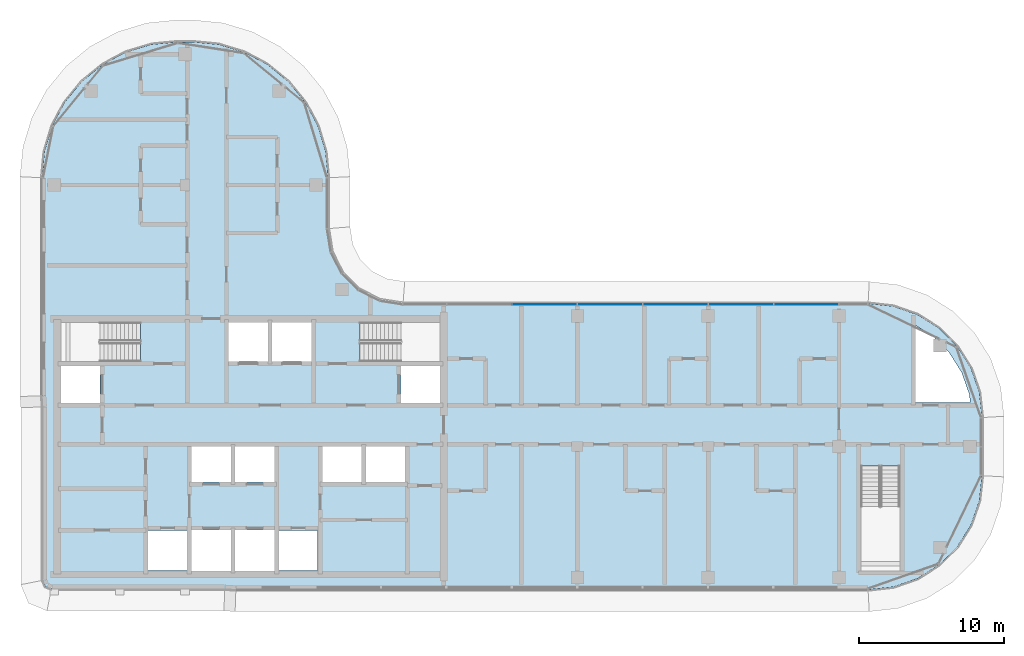
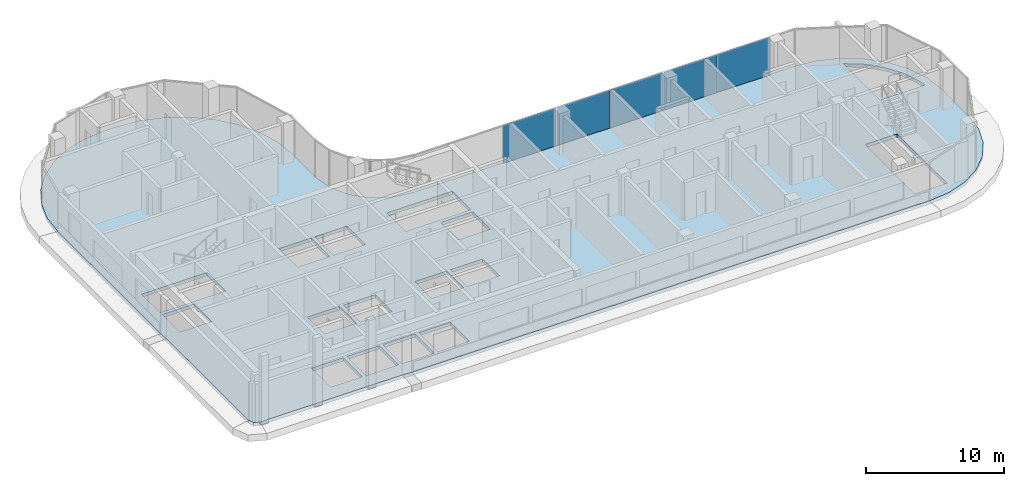
# One storey, part 10 of 22: 5 plates, 1 slab, 1 element without a shape of its own.
"""IFC4 building model written with IfcOpenShell, lengths in metres."""

from ifc_helpers import new_model, si_unit, direction, frame, origin, origin_2d, place, context, subcontext, project, spatial, polyline, rectangle, outline, extrude, material, layer, layer_set, type_object, element, aggregate, save


model = new_model("IFC4")

# Units and contexts
model_context = context("Model", 3, precision=1e-05, world=origin(), true_north=direction((0.0, 1.0)))
body_context = subcontext(model_context, "Body", "Model", "MODEL_VIEW")
ifc_project = project(units=[si_unit("LENGTHUNIT", "METRE"), si_unit("AREAUNIT", "SQUARE_METRE"), si_unit("VOLUMEUNIT", "CUBIC_METRE"), si_unit("PLANEANGLEUNIT", "RADIAN"), si_unit("MASSUNIT", "GRAM", prefix="KILO")], contexts=[model_context])

# Site, building, storey
site_placement = place(None, origin())
site = spatial("IfcSite", under=ifc_project, at=site_placement, CompositionType="ELEMENT")
building_placement = place(site_placement, origin())
building = spatial("IfcBuilding", under=site, at=building_placement, Name="Ogive Portal Towers", CompositionType="ELEMENT")
storey_placement = place(building_placement, frame((0.0, 0.0, 206.89990234375)))
storey = spatial("IfcBuildingStorey", under=building, at=storey_placement, Name="L51", CompositionType="ELEMENT", Elevation=206.89990234375)

# Curtain wall, plates
ifc_material_1 = material(Name="Glass, clear low-iron insulated glazing", Category="glass")
curtain_wall_type = type_object("IfcCurtainWallType", Name="CW FRONT RIBBON 4500", PredefinedType="NOTDEFINED", material=ifc_material_1)
curtain_wall_placement = place(storey_placement, origin())
curtain_wall = element("IfcCurtainWall", 1, at=curtain_wall_placement, inside=storey, type_object=curtain_wall_type, Name="A:L51:f11:cw0", PredefinedType="NOTDEFINED")
ifc_layer_1 = layer(ifc_material_1, 0.028076171875)
ifc_layer_set_1 = layer_set([ifc_layer_1], Name="CW PANEL IGU 28")
plate_type = type_object("IfcPlateType", Name="CW PANEL IGU 28", PredefinedType="CURTAIN_PANEL", material=ifc_layer_set_1)
plate_1_placement = place(storey_placement, frame((83.25, 40.27490234375, 0.0), z_axis=(0.0, 0.0, 1.0), x_axis=(-1.0, 0.0, 0.0)))
plate_1 = element("IfcPlate", 2, at=plate_1_placement, type_object=plate_type, Name="panel", PredefinedType="CURTAIN_PANEL", context=body_context, shape_type="SweptSolid", body=[
    extrude(rectangle(XDim=4.43994140625, YDim=0.028076171875, at=origin_2d()), origin(), (0.0, 0.0, 1.0), 3.340087890625),
])
plate_2_placement = place(storey_placement, frame((78.75, 40.27490234375, 0.0), z_axis=(0.0, 0.0, 1.0), x_axis=(-1.0, 0.0, 0.0)))
plate_2 = element("IfcPlate", 3, at=plate_2_placement, type_object=plate_type, Name="panel", PredefinedType="CURTAIN_PANEL", context=body_context, shape_type="SweptSolid", body=[
    extrude(rectangle(XDim=4.43994140625, YDim=0.028076171875, at=origin_2d()), origin(), (0.0, 0.0, 1.0), 3.340087890625),
])
plate_3_placement = place(storey_placement, frame((74.25, 40.27490234375, 0.0), z_axis=(0.0, 0.0, 1.0), x_axis=(-1.0, 0.0, 0.0)))
plate_3 = element("IfcPlate", 4, at=plate_3_placement, type_object=plate_type, Name="panel", PredefinedType="CURTAIN_PANEL", context=body_context, shape_type="SweptSolid", body=[
    extrude(rectangle(XDim=4.43994140625, YDim=0.028076171875, at=origin_2d()), origin(), (0.0, 0.0, 1.0), 3.340087890625),
])
plate_4_placement = place(storey_placement, frame((69.75, 40.27490234375, 0.0), z_axis=(0.0, 0.0, 1.0), x_axis=(-1.0, 0.0, 0.0)))
plate_4 = element("IfcPlate", 5, at=plate_4_placement, type_object=plate_type, Name="panel", PredefinedType="CURTAIN_PANEL", context=body_context, shape_type="SweptSolid", body=[
    extrude(rectangle(XDim=4.43994140625, YDim=0.028076171875, at=origin_2d()), origin(), (0.0, 0.0, 1.0), 3.340087890625),
])
plate_5_placement = place(storey_placement, frame((65.25, 40.27490234375, 0.0), z_axis=(0.0, 0.0, 1.0), x_axis=(-1.0, 0.0, 0.0)))
plate_5 = element("IfcPlate", 6, at=plate_5_placement, type_object=plate_type, Name="panel", PredefinedType="CURTAIN_PANEL", context=body_context, shape_type="SweptSolid", body=[
    extrude(rectangle(XDim=4.43994140625, YDim=0.028076171875, at=origin_2d()), origin(), (0.0, 0.0, 1.0), 3.340087890625),
])
aggregate(curtain_wall, [plate_1, plate_2, plate_3, plate_4, plate_5])

# Slab
ifc_material_2 = material(Name="Concrete C45/55", Category="concrete")
ifc_layer_2 = layer(ifc_material_2, 0.300048828125)
ifc_layer_set_2 = layer_set([ifc_layer_2], Name="PT FLAT PLATE 300")
slab_type = type_object("IfcSlabType", Name="PT FLAT PLATE 300", PredefinedType="FLOOR", material=ifc_layer_set_2)
slab_placement = place(storey_placement, frame((0.0, 0.0, -0.2998046875)))
element("IfcSlab", 7, at=slab_placement, inside=storey, type_object=slab_type, Name="Floor slab L51", PredefinedType="FLOOR", context=body_context, shape_type="SweptSolid", body=[
    extrude(outline(polyline([(30.64501953125, 49.0), (30.64501953125, 34.0), (30.699951171875, 33.23095703125), (30.699951171875, 21.300048828125), (30.875732421875, 20.875732421875), (31.300048828125, 20.699951171875), (43.23095703125, 20.699951171875), (44.0, 20.64501953125), (87.5, 20.64501953125), (89.247802734375, 20.841796875), (90.908203125, 21.4228515625), (92.3974609375, 22.358642578125), (93.641357421875, 23.6025390625), (94.5771484375, 25.091796875), (95.158203125, 26.752197265625), (95.35498046875, 28.5), (95.35498046875, 32.5), (95.158203125, 34.247802734375), (94.5771484375, 35.908203125), (93.641357421875, 37.3974609375), (92.3974609375, 38.641357421875), (90.908203125, 39.5771484375), (89.247802734375, 40.158203125), (87.5, 40.35498046875), (55.5, 40.35498046875), (53.91015625, 40.606689453125), (52.475830078125, 41.337646484375), (51.337646484375, 42.475830078125), (50.606689453125, 43.91015625), (50.35498046875, 45.5), (50.35498046875, 49.0), (50.17529296875, 50.8251953125), (49.642822265625, 52.580078125), (48.7783203125, 54.197509765625), (47.614990234375, 55.614990234375), (46.197509765625, 56.7783203125), (44.580078125, 57.642822265625), (42.8251953125, 58.17529296875), (41.0, 58.35498046875), (40.0, 58.35498046875), (38.1748046875, 58.17529296875), (36.419921875, 57.642822265625), (34.802490234375, 56.7783203125), (33.385009765625, 55.614990234375), (32.2216796875, 54.197509765625), (31.357177734375, 52.580078125), (30.82470703125, 50.8251953125), (30.64501953125, 49.0)]), holes=[polyline([(40.6298828125, 21.969970703125), (37.969970703125, 21.969970703125), (37.969970703125, 24.72998046875), (40.6298828125, 24.72998046875), (40.6298828125, 21.969970703125)]), polyline([(43.64990234375, 24.75), (43.64990234375, 21.949951171875), (40.949951171875, 21.949951171875), (40.949951171875, 24.75), (43.64990234375, 24.75)]), polyline([(46.64990234375, 24.75), (46.64990234375, 21.949951171875), (43.949951171875, 21.949951171875), (43.949951171875, 24.75), (46.64990234375, 24.75)]), polyline([(43.64990234375, 30.5), (43.64990234375, 28.050048828125), (40.949951171875, 28.050048828125), (40.949951171875, 30.5), (43.64990234375, 30.5)]), polyline([(46.64990234375, 30.5), (46.64990234375, 28.050048828125), (43.949951171875, 28.050048828125), (43.949951171875, 30.5), (46.64990234375, 30.5)]), polyline([(34.64990234375, 36.050048828125), (34.64990234375, 33.5), (31.949951171875, 33.5), (31.949951171875, 36.050048828125), (34.64990234375, 36.050048828125)]), polyline([(31.951904296875, 39.048095703125), (37.447998046875, 39.048095703125), (37.447998046875, 36.35205078125), (31.951904296875, 36.35205078125), (31.951904296875, 39.048095703125)]), polyline([(46.199951171875, 39.050048828125), (46.199951171875, 36.35009765625), (43.5, 36.35009765625), (43.5, 39.050048828125), (46.199951171875, 39.050048828125)]), polyline([(49.6298828125, 21.969970703125), (46.969970703125, 21.969970703125), (46.969970703125, 24.72998046875), (49.6298828125, 24.72998046875), (49.6298828125, 21.969970703125)]), polyline([(87.001953125, 21.951904296875), (87.001953125, 29.16796875), (89.697998046875, 29.16796875), (89.697998046875, 21.951904296875), (87.001953125, 21.951904296875)]), polyline([(52.64990234375, 30.5), (52.64990234375, 28.050048828125), (49.949951171875, 28.050048828125), (49.949951171875, 30.5), (52.64990234375, 30.5)]), polyline([(55.64990234375, 30.5), (55.64990234375, 28.050048828125), (52.949951171875, 28.050048828125), (52.949951171875, 30.5), (55.64990234375, 30.5)]), polyline([(58.050048828125, 36.050048828125), (58.050048828125, 33.5), (55.35009765625, 33.5), (55.35009765625, 36.050048828125), (58.050048828125, 36.050048828125)]), polyline([(93.090576171875, 36.958251953125), (93.9423828125, 35.6025390625), (94.47119140625, 34.09130859375), (94.53564453125, 33.52001953125), (90.77001953125, 33.52001953125), (90.77001953125, 38.837158203125), (91.958251953125, 38.090576171875), (93.090576171875, 36.958251953125)]), polyline([(49.199951171875, 39.050048828125), (49.199951171875, 36.35009765625), (46.5, 36.35009765625), (46.5, 39.050048828125), (49.199951171875, 39.050048828125)]), polyline([(58.048095703125, 36.35205078125), (52.552001953125, 36.35205078125), (52.552001953125, 39.048095703125), (58.048095703125, 39.048095703125), (58.048095703125, 36.35205078125)])]), origin(), (0.0, 0.0, 1.0), 0.2998046875),
])

save(model, "model.ifc")
